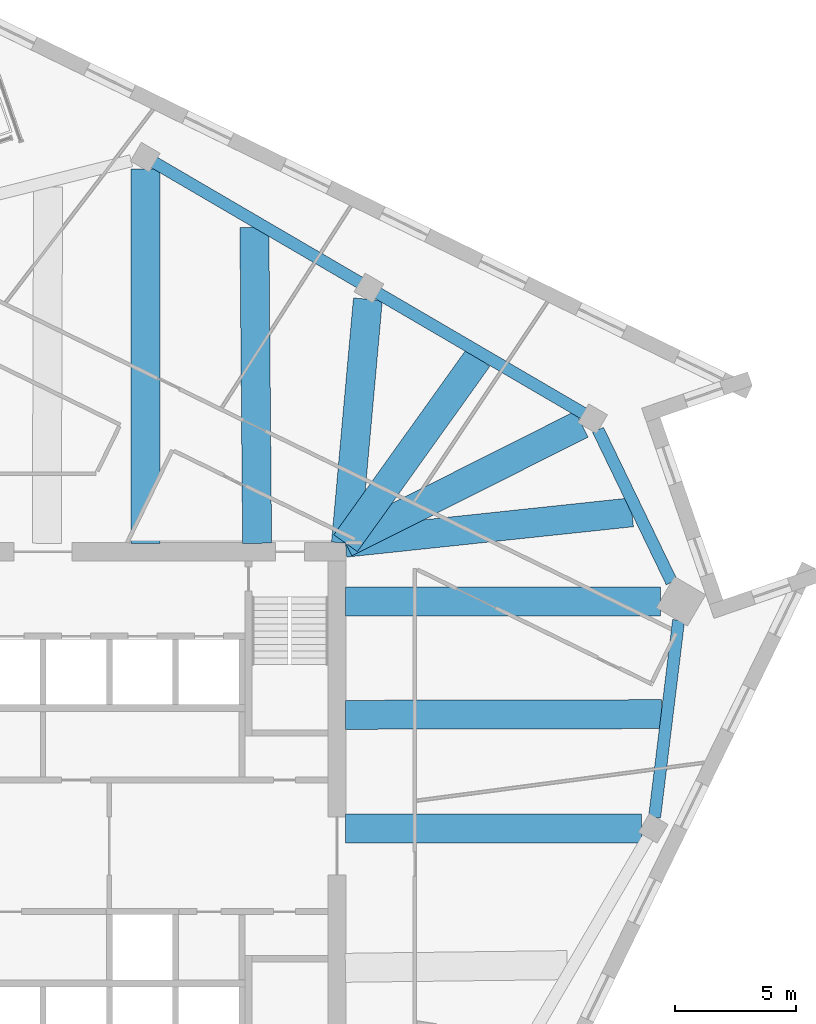
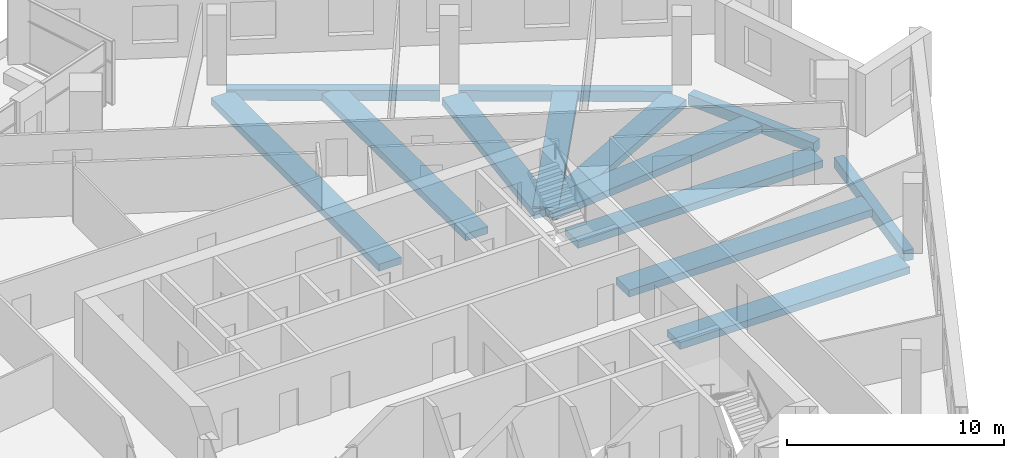
# One storey, part 3 of 13: 13 beams.
"""IFC4 building model written with IfcOpenShell, lengths in metres."""

from ifc_helpers import new_model, si_unit, direction, frame, origin, origin_2d, place, context, subcontext, project, spatial, rectangle, extrude, material, material_profile, profile_set, type_object, element, save


model = new_model("IFC4")

# Units and contexts
model_context = context("Model", 3, precision=1e-05, world=origin(), true_north=direction((0.0, 1.0)))
body_context = subcontext(model_context, "Body", "Model", "MODEL_VIEW")
ifc_project = project(units=[si_unit("LENGTHUNIT", "METRE"), si_unit("AREAUNIT", "SQUARE_METRE"), si_unit("VOLUMEUNIT", "CUBIC_METRE"), si_unit("PLANEANGLEUNIT", "RADIAN"), si_unit("MASSUNIT", "GRAM", prefix="KILO")], contexts=[model_context])

# Site, building, storey
site_placement = place(None, origin())
site = spatial("IfcSite", under=ifc_project, at=site_placement, CompositionType="ELEMENT")
building_placement = place(site_placement, origin())
building = spatial("IfcBuilding", under=site, at=building_placement, Name="Dilmun Exchange Tower", CompositionType="ELEMENT")
storey_placement = place(building_placement, frame((0.0, 0.0, 286.89990234375)))
storey = spatial("IfcBuildingStorey", under=building, at=storey_placement, Name="L68", CompositionType="ELEMENT", Elevation=286.89990234375)

# Beams
ifc_material = material(Name="Concrete C40/50", Category="concrete")
ifc_material_profile_1 = material_profile(ifc_material, rectangle(XDim=1.199951171875, YDim=0.39990234375, at=origin_2d()), Name="1200 x 400")
ifc_profile_set_1 = profile_set([ifc_material_profile_1], Name="Concrete C40/50")
beam_type_1 = type_object("IfcBeamType", Name="RC band beam 1200 x 400 C40/50", PredefinedType="BEAM", material=ifc_profile_set_1)
beam_1_placement = place(storey_placement, frame((24.773681640625, 0.721923828125, -0.659912109375), z_axis=(-1.0, 0.0, 0.0), x_axis=(0.0, -1.0, 0.0)))
element("IfcBeam", 1, at=beam_1_placement, inside=storey, type_object=beam_type_1, Name="Band beam 12", PredefinedType="BEAM", context=body_context, shape_type="SweptSolid", body=[
    extrude(rectangle(XDim=1.199951171875, YDim=0.39990234375, at=origin_2d()), origin(), (0.0, 0.0, 1.0), 12.250732421875),
])
beam_2_placement = place(storey_placement, frame((25.5732421875, 10.1220703125, -0.659912109375), z_axis=(-1.0, 0.0, 0.0), x_axis=(0.0, -1.0, 0.0)))
element("IfcBeam", 2, at=beam_2_placement, inside=storey, type_object=beam_type_1, Name="Band beam 13", PredefinedType="BEAM", context=body_context, shape_type="SweptSolid", body=[
    extrude(rectangle(XDim=1.199951171875, YDim=0.39990234375, at=origin_2d()), origin(), (0.0, 0.0, 1.0), 13.05029296875),
])
beam_3_placement = place(storey_placement, frame((22.302734375, 17.453125, -0.659912109375), z_axis=(-0.893443377394, -0.449175835716, 0.0), x_axis=(0.449175835716, -0.893443377394, 0.0)))
element("IfcBeam", 3, at=beam_3_placement, inside=storey, type_object=beam_type_1, Name="Band beam 14", PredefinedType="BEAM", context=body_context, shape_type="SweptSolid", body=[
    extrude(rectangle(XDim=1.199951171875, YDim=0.39990234375, at=origin_2d()), origin(), (0.0, 0.0, 1.0), 10.94287109375),
])
beam_4_placement = place(storey_placement, frame((13.456787109375, 22.625732421875, -0.659912109375), z_axis=(-0.089632924375, -0.995974868593, 0.0), x_axis=(0.995974868593, -0.089632924375, 0.0)))
element("IfcBeam", 4, at=beam_4_placement, inside=storey, type_object=beam_type_1, Name="Band beam 15", PredefinedType="BEAM", context=body_context, shape_type="SweptSolid", body=[
    extrude(rectangle(XDim=1.199951171875, YDim=0.39990234375, at=origin_2d()), origin(), (0.0, 0.0, 1.0), 10.143310546875),
])
beam_5_placement = place(storey_placement, frame((4.239990234375, 28.01171875, -0.659912109375), z_axis=(0.0, -1.0, 0.0), x_axis=(1.0, 0.0, 0.0)))
element("IfcBeam", 5, at=beam_5_placement, inside=storey, type_object=beam_type_1, Name="Band beam 16", PredefinedType="BEAM", context=body_context, shape_type="SweptSolid", body=[
    extrude(rectangle(XDim=1.199951171875, YDim=0.39990234375, at=origin_2d()), origin(), (0.0, 0.0, 1.0), 15.48876953125),
])
beam_6_placement = place(storey_placement, frame((25.6201171875, 5.448974609375, -0.559814453125), z_axis=(-0.999997897774, -0.002050474756, 0.0), x_axis=(0.002050474756, -0.999997897774, 0.0)))
element("IfcBeam", 6, at=beam_6_placement, inside=storey, type_object=beam_type_1, Name="Band beam 28", PredefinedType="BEAM", context=body_context, shape_type="SweptSolid", body=[
    extrude(rectangle(XDim=1.199951171875, YDim=0.39990234375, at=origin_2d()), origin(), (0.0, 0.0, 1.0), 13.09716796875),
])
beam_7_placement = place(storey_placement, frame((24.3857421875, 13.804931640625, -0.559814453125), z_axis=(-0.994425543871, -0.105441157505, 0.0), x_axis=(0.105441157505, -0.994425543871, 0.0)))
element("IfcBeam", 7, at=beam_7_placement, inside=storey, type_object=beam_type_1, Name="Band beam 29", PredefinedType="BEAM", context=body_context, shape_type="SweptSolid", body=[
    extrude(rectangle(XDim=1.199951171875, YDim=0.39990234375, at=origin_2d()), origin(), (0.0, 0.0, 1.0), 11.928955078125),
])
beam_8_placement = place(storey_placement, frame((18.01611328125, 20.195556640625, -0.559814453125), z_axis=(-0.581600762294, -0.81347437163, 0.0), x_axis=(0.81347437163, -0.581600762294, 0.0)))
element("IfcBeam", 8, at=beam_8_placement, inside=storey, type_object=beam_type_1, Name="Band beam 30", PredefinedType="BEAM", context=body_context, shape_type="SweptSolid", body=[
    extrude(rectangle(XDim=1.199951171875, YDim=0.39990234375, at=origin_2d()), origin(), (0.0, 0.0, 1.0), 9.425537109375),
])
beam_9_placement = place(storey_placement, frame((8.757080078125, 25.607421875, -0.559814453125), z_axis=(0.008582734208, -0.999963167658, 0.0), x_axis=(0.999963167658, 0.008582734208, 0.0)))
element("IfcBeam", 9, at=beam_9_placement, inside=storey, type_object=beam_type_1, Name="Band beam 31", PredefinedType="BEAM", context=body_context, shape_type="SweptSolid", body=[
    extrude(rectangle(XDim=1.199951171875, YDim=0.39990234375, at=origin_2d()), origin(), (0.0, 0.0, 1.0), 13.0849609375),
])
ifc_material_profile_2 = material_profile(ifc_material, rectangle(XDim=0.5, YDim=0.60009765625, at=origin_2d()), Name="500 x 600")
ifc_profile_set_2 = profile_set([ifc_material_profile_2], Name="Concrete C40/50")
beam_type_2 = type_object("IfcBeamType", Name="RC ring beam 500 x 600 C40/50", PredefinedType="SPANDREL", material=ifc_profile_set_2)
beam_10_placement = place(storey_placement, frame((25.32421875, 1.181640625, -0.659912109375), z_axis=(0.121108645076, 0.992639257781, 0.0), x_axis=(-0.992639257781, 0.121108645076, 0.0)))
element("IfcBeam", 10, at=beam_10_placement, inside=storey, type_object=beam_type_2, Name="Ring beam 12", PredefinedType="SPANDREL", context=body_context, shape_type="SweptSolid", body=[
    extrude(rectangle(XDim=0.5, YDim=0.60009765625, at=origin_2d()), origin(), (0.0, 0.0, 1.0), 8.216796875),
])
beam_11_placement = place(storey_placement, frame((26.033447265625, 10.910888671875, -0.659912109375), z_axis=(-0.435439794363, 0.900217854458, 0.0), x_axis=(-0.900217854458, -0.435439794363, 0.0)))
element("IfcBeam", 11, at=beam_11_placement, inside=storey, type_object=beam_type_2, Name="Ring beam 13", PredefinedType="SPANDREL", context=body_context, shape_type="SweptSolid", body=[
    extrude(rectangle(XDim=0.5, YDim=0.60009765625, at=origin_2d()), origin(), (0.0, 0.0, 1.0), 7.0068359375),
])
beam_12_placement = place(storey_placement, frame((22.392822265625, 17.8955078125, -0.659912109375), z_axis=(-0.863333071594, 0.504634528637, 0.0), x_axis=(-0.504634528637, -0.863333071594, 0.0)))
element("IfcBeam", 12, at=beam_12_placement, inside=storey, type_object=beam_type_2, Name="Ring beam 14", PredefinedType="SPANDREL", context=body_context, shape_type="SweptSolid", body=[
    extrude(rectangle(XDim=0.5, YDim=0.60009765625, at=origin_2d()), origin(), (0.0, 0.0, 1.0), 9.878662109375),
])
beam_13_placement = place(storey_placement, frame((13.1337890625, 23.3076171875, -0.659912109375), z_axis=(-0.863343838609, 0.504616107884, 0.0), x_axis=(-0.504616107884, -0.863343838609, 0.0)))
element("IfcBeam", 13, at=beam_13_placement, inside=storey, type_object=beam_type_2, Name="Ring beam 15", PredefinedType="SPANDREL", context=body_context, shape_type="SweptSolid", body=[
    extrude(rectangle(XDim=0.5, YDim=0.60009765625, at=origin_2d()), origin(), (0.0, 0.0, 1.0), 9.87841796875),
])

save(model, "model.ifc")
